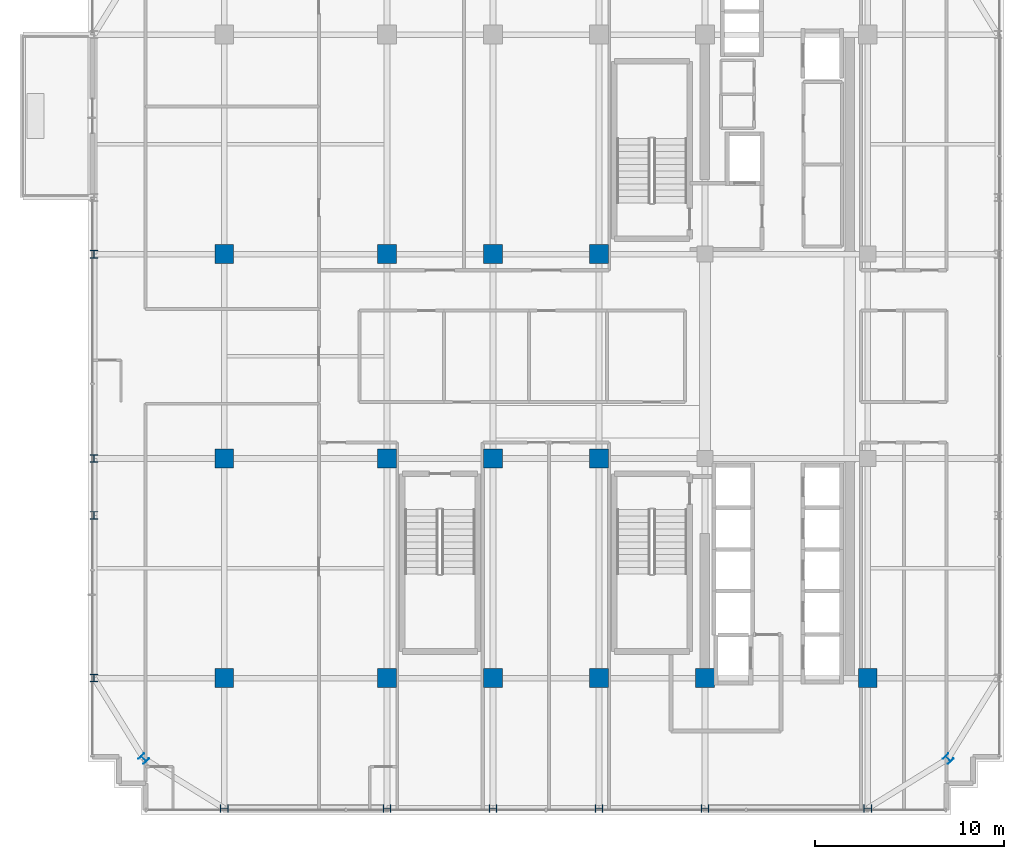
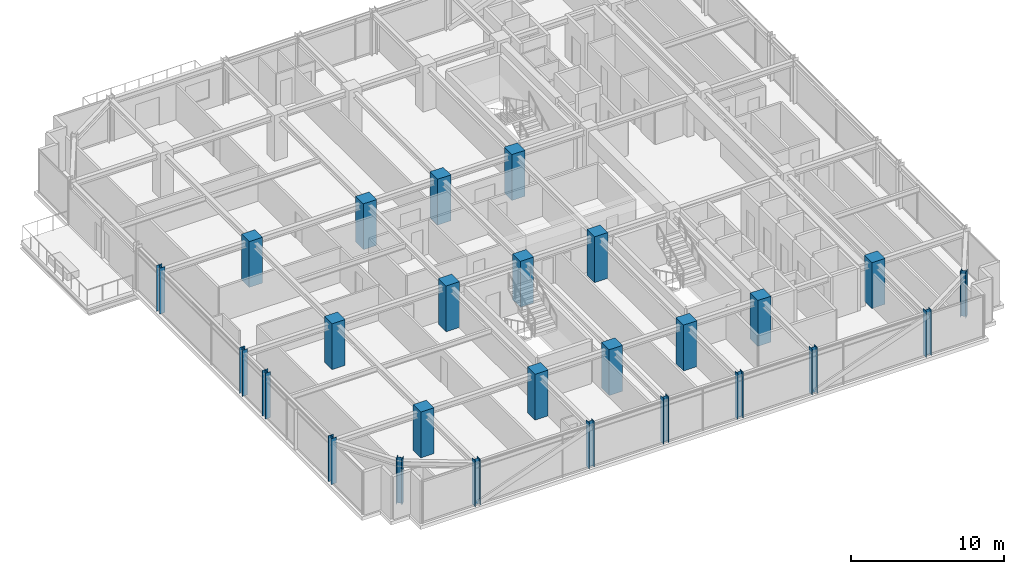
# One storey, part 1 of 36: 26 columns.
"""IFC4 building model written with IfcOpenShell, lengths in metres."""

from ifc_helpers import new_model, si_unit, direction, frame, origin, origin_2d, place, context, subcontext, project, spatial, rectangle, i_section, extrude, source, transform, mapped, material, material_profile, profile_set, type_object, element, save


model = new_model("IFC4")

# Units and contexts
model_context = context("Model", 3, precision=1e-05, world=origin(), true_north=direction((0.0, 1.0)))
body_context = subcontext(model_context, "Body", "Model", "MODEL_VIEW")
ifc_project = project(units=[si_unit("LENGTHUNIT", "METRE"), si_unit("AREAUNIT", "SQUARE_METRE"), si_unit("VOLUMEUNIT", "CUBIC_METRE"), si_unit("PLANEANGLEUNIT", "RADIAN"), si_unit("MASSUNIT", "GRAM", prefix="KILO")], contexts=[model_context])

# Site, building, storey
site_placement = place(None, origin())
site = spatial("IfcSite", under=ifc_project, at=site_placement, CompositionType="ELEMENT")
building_placement = place(site_placement, origin())
building = spatial("IfcBuilding", under=site, at=building_placement, Name="Nahalor Promenade Grand Hotel", CompositionType="ELEMENT")
storey_placement = place(building_placement, frame((0.0, 0.0, 241.89990234375)))
storey = spatial("IfcBuildingStorey", under=building, at=storey_placement, Name="L62", CompositionType="ELEMENT", Elevation=241.89990234375)

# Columns
ifc_material_1 = material(Name="Concrete B-60 (C50/60)", Category="concrete")
ifc_material_profile_1 = material_profile(ifc_material_1, rectangle(XDim=1.0, YDim=1.0, at=origin_2d()), Name="RC 1000x1000")
ifc_profile_set_1 = profile_set([ifc_material_profile_1], Name="Concrete B-60 (C50/60)")
column_type_1 = type_object("IfcColumnType", Name="Col-RC-1000", PredefinedType="COLUMN", material=ifc_profile_set_1)
shared_shape_1 = source(origin(), body_context, "Body", "SweptSolid", [
    extrude(rectangle(XDim=1.0, YDim=1.0, at=origin_2d()), origin(), (0.0, 0.0, 1.0), 3.655029296875),
])
for number, where, z_axis, x_axis, name in (
    (1, (-17.0, -17.0, 0.0), (0.0, 0.0, 1.0), (1.0, 0.0, 0.0), "COL-L62-I00"),
    (2, (-17.0, -5.39990234375, 0.0), (0.0, 0.0, 1.0), (1.0, 0.0, 0.0), "COL-L62-I01"),
    (3, (-17.0, 5.39990234375, 0.0), (0.0, 0.0, 1.0), (1.0, 0.0, 0.0), "COL-L62-I02"),
    (4, (-8.39990234375, -17.0, 0.0), (0.0, 0.0, 1.0), (1.0, 0.0, 0.0), "COL-L62-I10"),
    (5, (-8.39990234375, -5.39990234375, 0.0), (0.0, 0.0, 1.0), (1.0, 0.0, 0.0), "COL-L62-I11"),
    (6, (-8.39990234375, 5.39990234375, 0.0), (0.0, 0.0, 1.0), (1.0, 0.0, 0.0), "COL-L62-I12"),
    (7, (-2.800048828125, -17.0, 0.0), (0.0, 0.0, 1.0), (1.0, 0.0, 0.0), "COL-L62-I20"),
    (8, (-2.800048828125, -5.39990234375, 0.0), (0.0, 0.0, 1.0), (1.0, 0.0, 0.0), "COL-L62-I21"),
    (9, (-2.800048828125, 5.39990234375, 0.0), (0.0, 0.0, 1.0), (1.0, 0.0, 0.0), "COL-L62-I22"),
    (10, (2.800048828125, -17.0, 0.0), (0.0, 0.0, 1.0), (1.0, 0.0, 0.0), "COL-L62-I30"),
    (11, (2.800048828125, -5.39990234375, 0.0), (0.0, 0.0, 1.0), (1.0, 0.0, 0.0), "COL-L62-I31"),
    (12, (2.800048828125, 5.39990234375, 0.0), (0.0, 0.0, 1.0), (1.0, 0.0, 0.0), "COL-L62-I32"),
    (13, (8.39990234375, -17.0, 0.0), (0.0, 0.0, 1.0), (1.0, 0.0, 0.0), "COL-L62-I40"),
    (14, (17.0, -17.0, 0.0), (0.0, 0.0, 1.0), (1.0, 0.0, 0.0), "COL-L62-I50"),
):
    element("IfcColumn", number, at=place(storey_placement, frame(where, z_axis=z_axis, x_axis=x_axis)), inside=storey, type_object=column_type_1, Name=name, PredefinedType="COLUMN", context=body_context, shape_type="MappedRepresentation", body=[
        mapped(shared_shape_1, transform((0.0, 0.0, 0.0), scale=1.0)),
    ])
ifc_material_2 = material(Name="Steel S355JR", Category="steel")
ifc_material_profile_2 = material_profile(ifc_material_2, i_section(OverallWidth=0.401, OverallDepth=0.406, WebThickness=0.0161, FlangeThickness=0.025, at=origin_2d()), Name="HD 400x314")
ifc_profile_set_2 = profile_set([ifc_material_profile_2], Name="Steel S355JR")
column_type_2 = type_object("IfcColumnType", Name="Col-Steel-HD314", PredefinedType="COLUMN", material=ifc_profile_set_2)
shared_shape_2 = source(origin(), body_context, "Body", "SweptSolid", [
    extrude(i_section(OverallWidth=0.401, OverallDepth=0.406, WebThickness=0.0161, FlangeThickness=0.025, at=origin_2d()), origin(), (0.0, 0.0, 1.0), 3.655029296875),
])
for number, where, z_axis, x_axis, name in (
    (15, (-23.8798828125, -17.0, 0.0), (0.0, 0.0, 1.0), (1.0, 0.0, 0.0), "COL-L62-PW-W0"),
    (16, (-23.8798828125, -8.39990234375, 0.0), (0.0, 0.0, 1.0), (1.0, 0.0, 0.0), "COL-L62-PW-W1"),
    (17, (-23.8798828125, -5.39990234375, 0.0), (0.0, 0.0, 1.0), (1.0, 0.0, 0.0), "COL-L62-PW-W2"),
    (18, (-23.8798828125, 5.39990234375, 0.0), (0.0, 0.0, 1.0), (1.0, 0.0, 0.0), "COL-L62-PW-W3"),
    (19, (-17.0, -23.8798828125, 0.0), (0.0, 0.0, 1.0), (0.0, 1.0, 0.0), "COL-L62-PN-S0"),
    (20, (-8.39990234375, -23.8798828125, 0.0), (0.0, 0.0, 1.0), (0.0, 1.0, 0.0), "COL-L62-PN-S1"),
    (21, (-2.800048828125, -23.8798828125, 0.0), (0.0, 0.0, 1.0), (0.0, 1.0, 0.0), "COL-L62-PN-S2"),
    (22, (2.800048828125, -23.8798828125, 0.0), (0.0, 0.0, 1.0), (0.0, 1.0, 0.0), "COL-L62-PN-S3"),
    (23, (8.39990234375, -23.8798828125, 0.0), (0.0, 0.0, 1.0), (0.0, 1.0, 0.0), "COL-L62-PN-S4"),
    (24, (17.0, -23.8798828125, 0.0), (0.0, 0.0, 1.0), (0.0, 1.0, 0.0), "COL-L62-PN-S5"),
    (25, (-21.25, -21.25, 0.0), (0.0, 0.0, 1.0), (0.707106781187, 0.707106781187, 0.0), "COL-L62-CRN-SW"),
    (26, (21.25, -21.25, 0.0), (0.0, 0.0, 1.0), (0.707106781187, 0.707106781187, 0.0), "COL-L62-CRN-SE"),
):
    element("IfcColumn", number, at=place(storey_placement, frame(where, z_axis=z_axis, x_axis=x_axis)), inside=storey, type_object=column_type_2, Name=name, PredefinedType="COLUMN", context=body_context, shape_type="MappedRepresentation", body=[
        mapped(shared_shape_2, transform((0.0, 0.0, 0.0), scale=1.0)),
    ])

save(model, "model.ifc")
